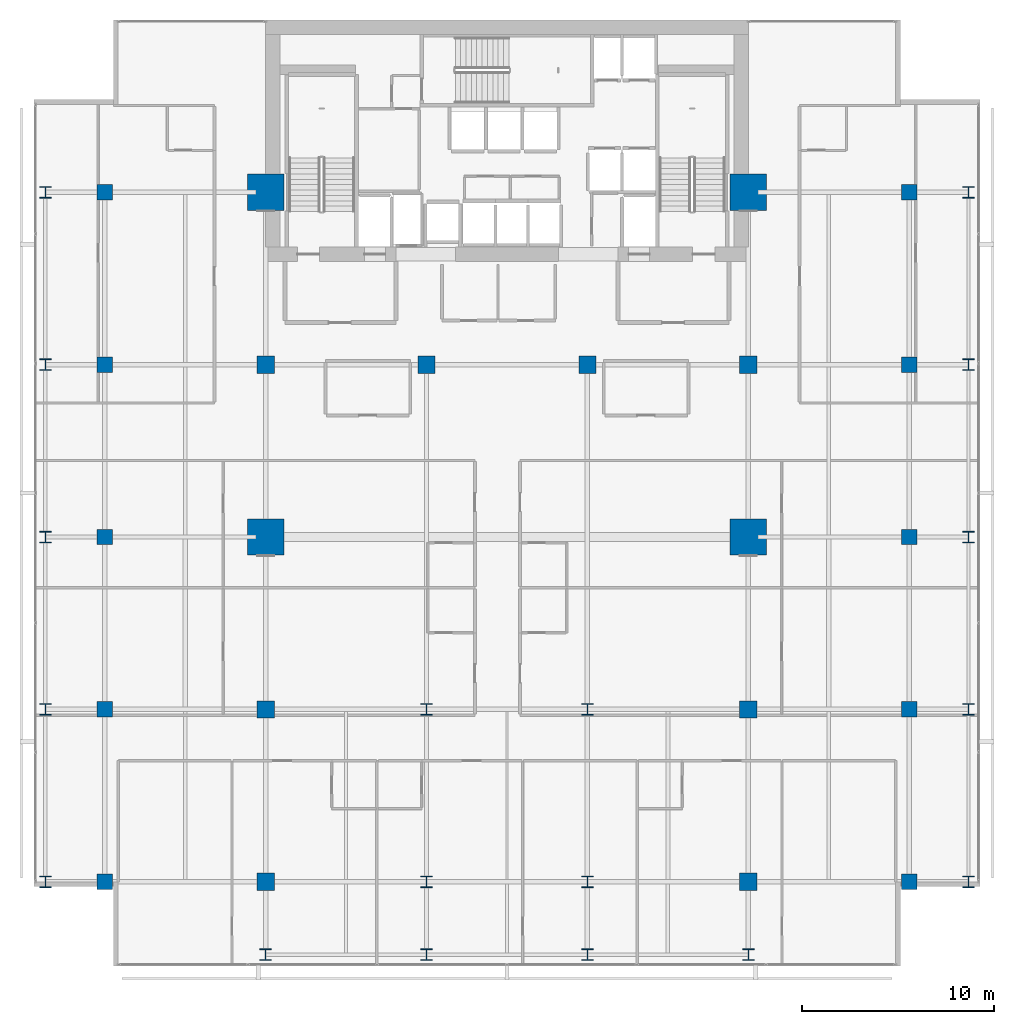
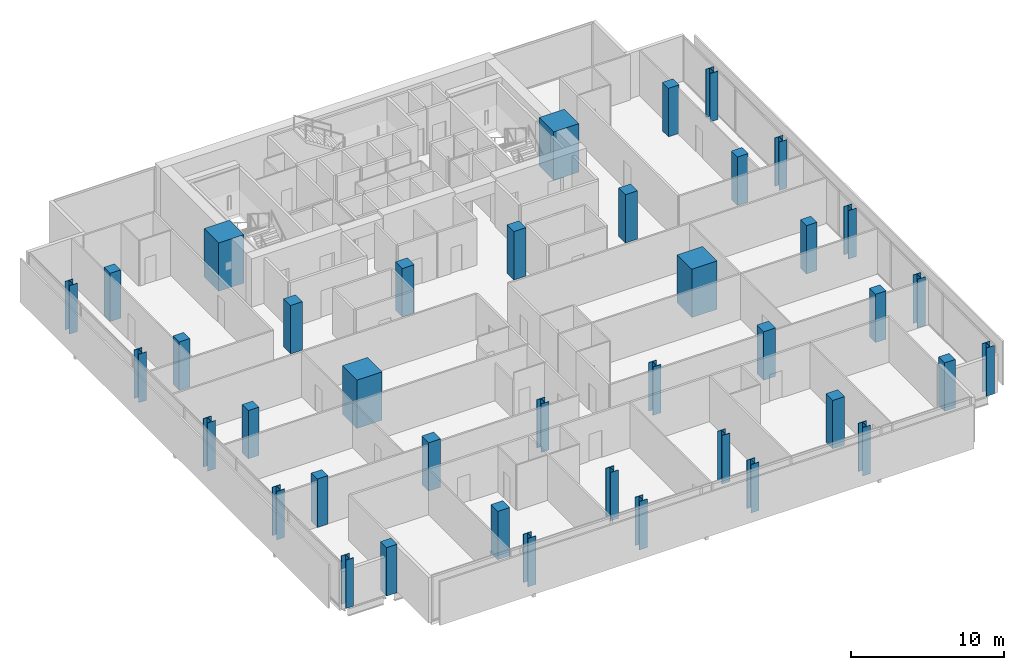
# One storey, part 1 of 33: 40 columns.
"""IFC4 building model written with IfcOpenShell, lengths in metres."""

from ifc_helpers import new_model, si_unit, direction, frame, origin, origin_2d, place, context, subcontext, project, spatial, rectangle, i_section, extrude, material, material_profile, profile_set, type_object, element, save


model = new_model("IFC4")

# Units and contexts
model_context = context("Model", 3, precision=1e-05, world=origin(), true_north=direction((0.0, 1.0)))
body_context = subcontext(model_context, "Body", "Model", "MODEL_VIEW")
ifc_project = project(units=[si_unit("LENGTHUNIT", "METRE"), si_unit("AREAUNIT", "SQUARE_METRE"), si_unit("VOLUMEUNIT", "CUBIC_METRE"), si_unit("PLANEANGLEUNIT", "RADIAN"), si_unit("MASSUNIT", "GRAM", prefix="KILO")], contexts=[model_context])

# Site, building, storey
site_placement = place(None, origin())
site = spatial("IfcSite", under=ifc_project, at=site_placement, CompositionType="ELEMENT")
building_placement = place(site_placement, origin())
building = spatial("IfcBuilding", under=site, at=building_placement, Name="Maruvema Waterfront Hotel and Observation Tower", CompositionType="ELEMENT")
storey_placement = place(building_placement, frame((0.0, 0.0, 169.75)))
storey = spatial("IfcBuildingStorey", under=building, at=storey_placement, Name="L41", CompositionType="ELEMENT", Elevation=169.75)

# Columns
ifc_material_1 = material(Name="Concrete C80/95", Category="concrete")
ifc_material_profile_1 = material_profile(ifc_material_1, rectangle(XDim=1.89990234375, YDim=1.89990234375, at=origin_2d()), Name="MC1900x1900")
ifc_profile_set_1 = profile_set([ifc_material_profile_1], Name="Concrete C80/95")
column_type_1 = type_object("IfcColumnType", Name="Continuous Mega-Column MC1900x1900", PredefinedType="COLUMN", material=ifc_profile_set_1)
for number, where, z_axis, x_axis, name in (
    (1, (25.199951171875, 27.0, 0.0), (0.0, 0.0, 1.0), (1.0, 0.0, 0.0), "L41 Continuous Mega-Column MC-01"),
    (2, (50.39990234375, 27.0, 0.0), (0.0, 0.0, 1.0), (1.0, 0.0, 0.0), "L41 Continuous Mega-Column MC-02"),
    (3, (25.199951171875, 45.0, 0.0), (0.0, 0.0, 1.0), (1.0, 0.0, 0.0), "L41 Continuous Mega-Column MC-03"),
    (4, (50.39990234375, 45.0, 0.0), (0.0, 0.0, 1.0), (1.0, 0.0, 0.0), "L41 Continuous Mega-Column MC-04"),
):
    element("IfcColumn", number, at=place(storey_placement, frame(where, z_axis=z_axis, x_axis=x_axis)), inside=storey, type_object=column_type_1, Name=name, PredefinedType="COLUMN", context=body_context, shape_type="SweptSolid", body=[
        extrude(rectangle(XDim=1.89990234375, YDim=1.89990234375, at=origin_2d()), origin(), (0.0, 0.0, 1.0), 3.85009765625),
    ])
ifc_material_2 = material(Name="Concrete C60/75", Category="concrete")
ifc_material_profile_2 = material_profile(ifc_material_2, rectangle(XDim=0.800048828125, YDim=0.800048828125, at=origin_2d()), Name="RC800x800")
ifc_profile_set_2 = profile_set([ifc_material_profile_2], Name="Concrete C60/75")
column_type_2 = type_object("IfcColumnType", Name="Reinforced Concrete Column RC800x800", PredefinedType="COLUMN", material=ifc_profile_set_2)
for number, where, z_axis, x_axis, name in (
    (5, (16.800048828125, 9.0, 0.0), (0.0, 0.0, 1.0), (1.0, 0.0, 0.0), "L41 Column C-3Y9"),
    (6, (58.800048828125, 9.0, 0.0), (0.0, 0.0, 1.0), (1.0, 0.0, 0.0), "L41 Column C-8Y9"),
    (7, (16.800048828125, 18.0, 0.0), (0.0, 0.0, 1.0), (1.0, 0.0, 0.0), "L41 Column C-3Y18"),
    (8, (58.800048828125, 18.0, 0.0), (0.0, 0.0, 1.0), (1.0, 0.0, 0.0), "L41 Column C-8Y18"),
    (9, (16.800048828125, 27.0, 0.0), (0.0, 0.0, 1.0), (1.0, 0.0, 0.0), "L41 Column C-3Y27"),
    (10, (58.800048828125, 27.0, 0.0), (0.0, 0.0, 1.0), (1.0, 0.0, 0.0), "L41 Column C-8Y27"),
    (11, (16.800048828125, 36.0, 0.0), (0.0, 0.0, 1.0), (1.0, 0.0, 0.0), "L41 Column C-3Y36"),
    (12, (58.800048828125, 36.0, 0.0), (0.0, 0.0, 1.0), (1.0, 0.0, 0.0), "L41 Column C-8Y36"),
    (13, (16.800048828125, 45.0, 0.0), (0.0, 0.0, 1.0), (1.0, 0.0, 0.0), "L41 Column C-3Y45"),
    (14, (58.800048828125, 45.0, 0.0), (0.0, 0.0, 1.0), (1.0, 0.0, 0.0), "L41 Column C-8Y45"),
):
    element("IfcColumn", number, at=place(storey_placement, frame(where, z_axis=z_axis, x_axis=x_axis)), inside=storey, type_object=column_type_2, Name=name, PredefinedType="COLUMN", context=body_context, shape_type="SweptSolid", body=[
        extrude(rectangle(XDim=0.800048828125, YDim=0.800048828125, at=origin_2d()), origin(), (0.0, 0.0, 1.0), 3.85009765625),
    ])
ifc_material_3 = material(Name="Concrete C60/75", Category="concrete")
ifc_material_profile_3 = material_profile(ifc_material_3, rectangle(XDim=0.89990234375, YDim=0.89990234375, at=origin_2d()), Name="RC900x900")
ifc_profile_set_3 = profile_set([ifc_material_profile_3], Name="Concrete C60/75")
column_type_3 = type_object("IfcColumnType", Name="Reinforced Concrete Column RC900x900", PredefinedType="COLUMN", material=ifc_profile_set_3)
for number, where, z_axis, x_axis, name in (
    (15, (25.199951171875, 36.0, 0.0), (0.0, 0.0, 1.0), (1.0, 0.0, 0.0), "L41 Column C-4E"),
    (16, (33.60009765625, 36.0, 0.0), (0.0, 0.0, 1.0), (1.0, 0.0, 0.0), "L41 Column C-5E"),
    (17, (42.0, 36.0, 0.0), (0.0, 0.0, 1.0), (1.0, 0.0, 0.0), "L41 Column C-6E"),
    (18, (50.39990234375, 36.0, 0.0), (0.0, 0.0, 1.0), (1.0, 0.0, 0.0), "L41 Column C-7E"),
    (19, (25.199951171875, 18.0, 0.0), (0.0, 0.0, 1.0), (1.0, 0.0, 0.0), "L41 Column C-4C"),
    (20, (50.39990234375, 18.0, 0.0), (0.0, 0.0, 1.0), (1.0, 0.0, 0.0), "L41 Column C-7C"),
    (21, (25.199951171875, 9.0, 0.0), (0.0, 0.0, 1.0), (1.0, 0.0, 0.0), "L41 Column C-4B"),
    (22, (50.39990234375, 9.0, 0.0), (0.0, 0.0, 1.0), (1.0, 0.0, 0.0), "L41 Column C-7B"),
):
    element("IfcColumn", number, at=place(storey_placement, frame(where, z_axis=z_axis, x_axis=x_axis)), inside=storey, type_object=column_type_3, Name=name, PredefinedType="COLUMN", context=body_context, shape_type="SweptSolid", body=[
        extrude(rectangle(XDim=0.89990234375, YDim=0.89990234375, at=origin_2d()), origin(), (0.0, 0.0, 1.0), 3.85009765625),
    ])
ifc_material_4 = material(Name="Steel ABNT NBR 7007 AR 415 (ASTM A572 Grade 50)", Category="steel")
ifc_material_profile_4 = material_profile(ifc_material_4, i_section(OverallWidth=0.60009765625, OverallDepth=0.60009765625, WebThickness=0.02490234375, FlangeThickness=0.0380859375, at=origin_2d()), Name="CVS600x317")
ifc_profile_set_4 = profile_set([ifc_material_profile_4], Name="Steel ABNT NBR 7007 AR 415 (ASTM A572 Grade 50)")
column_type_4 = type_object("IfcColumnType", Name="Structural Steel Column CVS600x317", PredefinedType="COLUMN", material=ifc_profile_set_4)
for number, where, z_axis, x_axis, name in (
    (23, (33.60009765625, 9.0, 0.0), (0.0, 0.0, 1.0), (1.0, 0.0, 0.0), "L41 Column C-5B"),
    (24, (42.0, 9.0, 0.0), (0.0, 0.0, 1.0), (1.0, 0.0, 0.0), "L41 Column C-6B"),
    (25, (33.60009765625, 18.0, 0.0), (0.0, 0.0, 1.0), (1.0, 0.0, 0.0), "L41 Column C-5C"),
    (26, (42.0, 18.0, 0.0), (0.0, 0.0, 1.0), (1.0, 0.0, 0.0), "L41 Column C-6C"),
    (27, (13.699951171875, 9.0, 0.0), (0.0, 0.0, 1.0), (1.0, 0.0, 0.0), "L41 Column C-Z2W9"),
    (28, (61.89990234375, 9.0, 0.0), (0.0, 0.0, 1.0), (1.0, 0.0, 0.0), "L41 Column C-Z2E9"),
    (29, (13.699951171875, 18.0, 0.0), (0.0, 0.0, 1.0), (1.0, 0.0, 0.0), "L41 Column C-Z2W18"),
    (30, (61.89990234375, 18.0, 0.0), (0.0, 0.0, 1.0), (1.0, 0.0, 0.0), "L41 Column C-Z2E18"),
    (31, (13.699951171875, 27.0, 0.0), (0.0, 0.0, 1.0), (1.0, 0.0, 0.0), "L41 Column C-Z2W27"),
    (32, (61.89990234375, 27.0, 0.0), (0.0, 0.0, 1.0), (1.0, 0.0, 0.0), "L41 Column C-Z2E27"),
    (33, (13.699951171875, 36.0, 0.0), (0.0, 0.0, 1.0), (1.0, 0.0, 0.0), "L41 Column C-Z2W36"),
    (34, (61.89990234375, 36.0, 0.0), (0.0, 0.0, 1.0), (1.0, 0.0, 0.0), "L41 Column C-Z2E36"),
    (35, (13.699951171875, 45.0, 0.0), (0.0, 0.0, 1.0), (1.0, 0.0, 0.0), "L41 Column C-Z2W45"),
    (36, (61.89990234375, 45.0, 0.0), (0.0, 0.0, 1.0), (1.0, 0.0, 0.0), "L41 Column C-Z2E45"),
    (37, (25.199951171875, 5.199951171875, 0.0), (0.0, 0.0, 1.0), (1.0, 0.0, 0.0), "L41 Column C-Z2S4"),
    (38, (33.60009765625, 5.199951171875, 0.0), (0.0, 0.0, 1.0), (1.0, 0.0, 0.0), "L41 Column C-Z2S5"),
    (39, (42.0, 5.199951171875, 0.0), (0.0, 0.0, 1.0), (1.0, 0.0, 0.0), "L41 Column C-Z2S6"),
    (40, (50.39990234375, 5.199951171875, 0.0), (0.0, 0.0, 1.0), (1.0, 0.0, 0.0), "L41 Column C-Z2S7"),
):
    element("IfcColumn", number, at=place(storey_placement, frame(where, z_axis=z_axis, x_axis=x_axis)), inside=storey, type_object=column_type_4, Name=name, PredefinedType="COLUMN", context=body_context, shape_type="SweptSolid", body=[
        extrude(i_section(OverallWidth=0.60009765625, OverallDepth=0.60009765625, WebThickness=0.02490234375, FlangeThickness=0.0380859375, at=origin_2d()), origin(), (0.0, 0.0, 1.0), 3.85009765625),
    ])

save(model, "model.ifc")
